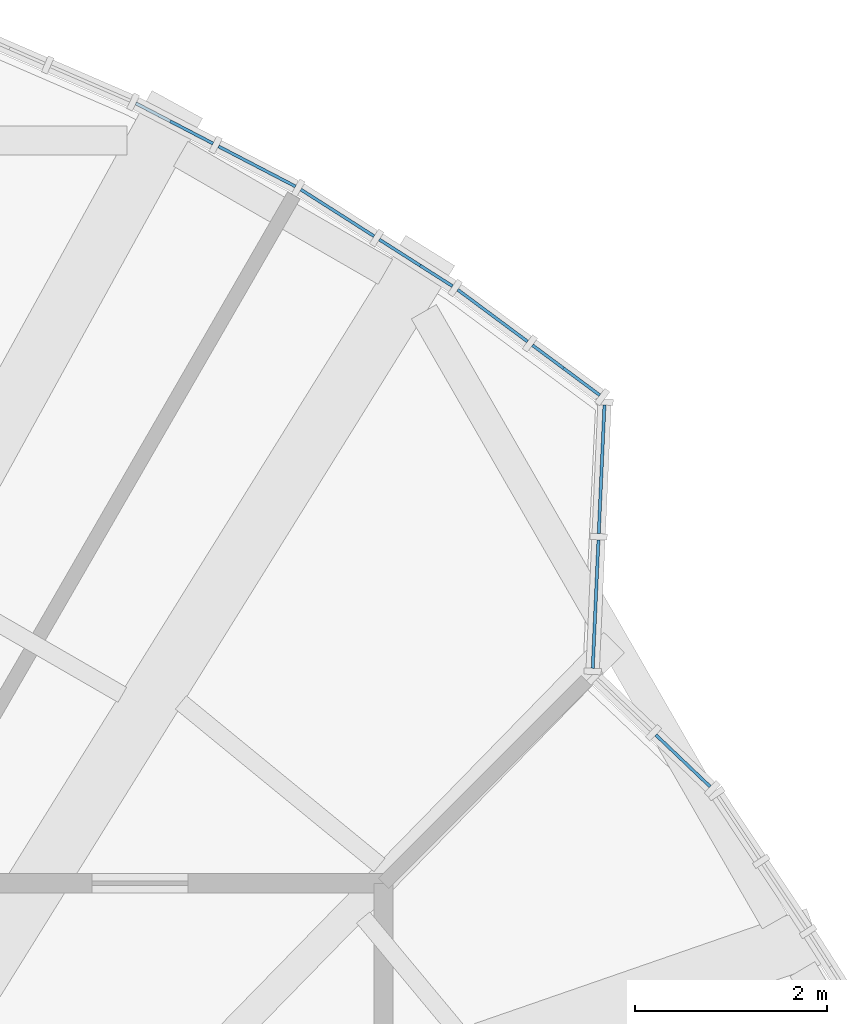
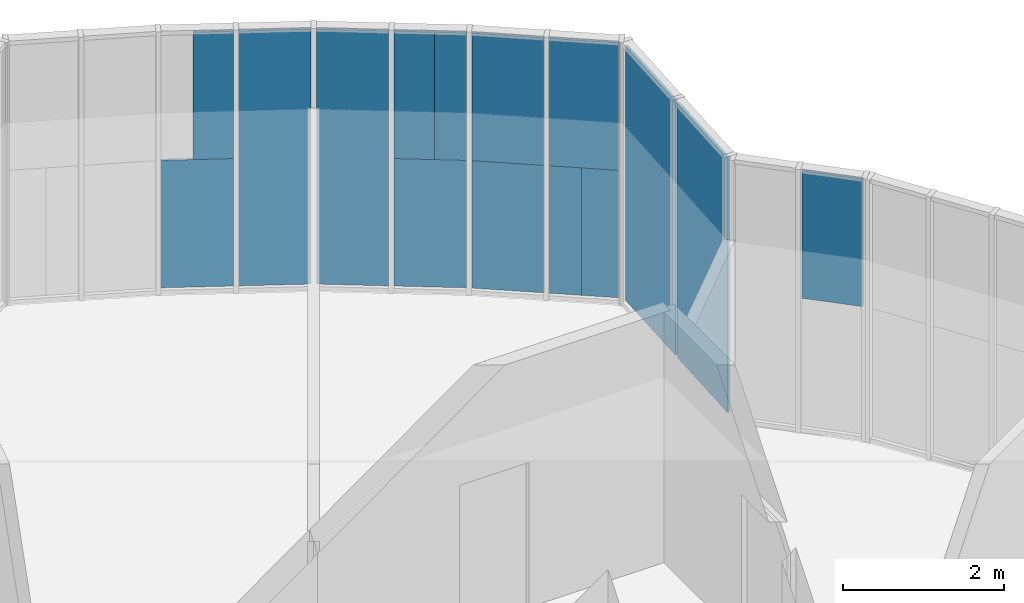
# One storey, part 20 of 24: 15 plates, 5 elements without a shape of their own.
"""IFC4 building model written with IfcOpenShell, lengths in metres."""

from ifc_helpers import new_model, si_unit, direction, frame, origin, origin_2d, place, context, subcontext, project, spatial, rectangle, extrude, material, layer, layer_set, type_object, element, aggregate, save


model = new_model("IFC4")

# Units and contexts
model_context = context("Model", 3, precision=1e-05, world=origin(), true_north=direction((0.0, 1.0)))
body_context = subcontext(model_context, "Body", "Model", "MODEL_VIEW")
ifc_project = project(units=[si_unit("LENGTHUNIT", "METRE"), si_unit("AREAUNIT", "SQUARE_METRE"), si_unit("VOLUMEUNIT", "CUBIC_METRE"), si_unit("PLANEANGLEUNIT", "RADIAN"), si_unit("MASSUNIT", "GRAM", prefix="KILO")], contexts=[model_context])

# Site, building, storey
site_placement = place(None, origin())
site = spatial("IfcSite", under=ifc_project, at=site_placement, CompositionType="ELEMENT")
building_placement = place(site_placement, origin())
building = spatial("IfcBuilding", under=site, at=building_placement, Name="Golbaran Civic Tower", CompositionType="ELEMENT")
storey_placement = place(building_placement, frame((0.0, 0.0, 25.0)))
storey = spatial("IfcBuildingStorey", under=building, at=storey_placement, Name="L05", CompositionType="ELEMENT", Elevation=25.0)

# Curtain wall, plates
ifc_material_1 = material(Name="Aluminium and glass", Category="aluminium")
curtain_wall_type = type_object("IfcCurtainWallType", Name="INNER SKIN CURTAIN WALL", PredefinedType="NOTDEFINED", material=ifc_material_1)
curtain_wall_1_placement = place(storey_placement, origin())
curtain_wall_1 = element("IfcCurtainWall", 1, at=curtain_wall_1_placement, inside=storey, type_object=curtain_wall_type, Name="Inner skin L05 facet 10 CW1", ObjectType="INNER SKIN", PredefinedType="USERDEFINED")
ifc_material_2 = material(Name="Clear insulating glass", Category="glass")
ifc_layer_1 = layer(ifc_material_2, 0.031982421875, Name="Clear insulating glass")
ifc_layer_set_1 = layer_set([ifc_layer_1], Name="Clear insulating glass")
plate_type_1 = type_object("IfcPlateType", Name="INNER SKIN CURTAIN WALL GLAZED PANEL", PredefinedType="CURTAIN_PANEL", material=ifc_layer_set_1)
plate_1_placement = place(storey_placement, frame((14.2080078125, 14.9091796875, 0.06494140625), z_axis=(0.0, 0.0, 1.0), x_axis=(0.044524171678, 0.999008307341, 0.0)))
plate_1 = element("IfcPlate", 2, at=plate_1_placement, type_object=plate_type_1, Name="CW1 panel 1.1", PredefinedType="CURTAIN_PANEL", context=body_context, shape_type="SweptSolid", body=[
    extrude(rectangle(XDim=1.33935546875, YDim=0.031982421875, at=origin_2d()), origin(), (0.0, 0.0, 1.0), 3.8701171875),
])
plate_2_placement = place(storey_placement, frame((14.2705078125, 16.31201171875, 0.06494140625), z_axis=(0.0, 0.0, 1.0), x_axis=(0.044524171678, 0.999008307341, 0.0)))
plate_2 = element("IfcPlate", 3, at=plate_2_placement, type_object=plate_type_1, Name="CW1 panel 2.1", PredefinedType="CURTAIN_PANEL", context=body_context, shape_type="SweptSolid", body=[
    extrude(rectangle(XDim=1.33935546875, YDim=0.031982421875, at=origin_2d()), origin(), (0.0, 0.0, 1.0), 3.8701171875),
])
aggregate(curtain_wall_1, [plate_1, plate_2])

# Curtain wall, plate
curtain_wall_2_placement = place(storey_placement, origin())
curtain_wall_2 = element("IfcCurtainWall", 4, at=curtain_wall_2_placement, inside=storey, type_object=curtain_wall_type, Name="Inner skin L05 facet 11 CW1", ObjectType="INNER SKIN", PredefinedType="USERDEFINED")
plate_3_placement = place(storey_placement, frame((14.06201171875, 17.22509765625, 0.06494140625), z_axis=(0.0, 0.0, 1.0), x_axis=(-0.802969962931, 0.596019495177, 0.0)))
plate_3 = element("IfcPlate", 5, at=plate_3_placement, type_object=plate_type_1, Name="CW1 panel 1.1 part 1", PredefinedType="CURTAIN_PANEL", context=body_context, shape_type="SweptSolid", body=[
    extrude(rectangle(XDim=0.470947265625, YDim=0.031982421875, at=origin_2d()), origin(), (0.0, 0.0, 1.0), 1.93505859375),
])

# Curtain wall, plates
curtain_wall_3_placement = place(storey_placement, origin())
curtain_wall_3 = element("IfcCurtainWall", 6, at=curtain_wall_3_placement, inside=storey, type_object=curtain_wall_type, Name="Inner skin L05 facet 12 CW1", ObjectType="INNER SKIN", PredefinedType="USERDEFINED")
plate_4_placement = place(storey_placement, frame((12.16796875, 18.5703125, 2.0), z_axis=(0.0, 0.0, 1.0), x_axis=(-0.843391445869, 0.537299608259, 0.0)))
plate_4 = element("IfcPlate", 7, at=plate_4_placement, type_object=plate_type_1, Name="CW1 panel 1.1 part 3", PredefinedType="CURTAIN_PANEL", context=body_context, shape_type="SweptSolid", body=[
    extrude(rectangle(XDim=0.504150390625, YDim=0.031982421875, at=origin_2d()), origin(), (0.0, 0.0, 1.0), 1.93505859375),
])
plate_5_placement = place(storey_placement, frame((11.519287109375, 18.983642578125, 0.06494140625), z_axis=(0.0, 0.0, 1.0), x_axis=(-0.843391445869, 0.537299608259, 0.0)))
plate_5 = element("IfcPlate", 8, at=plate_5_placement, type_object=plate_type_1, Name="CW1 panel 2.1", PredefinedType="CURTAIN_PANEL", context=body_context, shape_type="SweptSolid", body=[
    extrude(rectangle(XDim=0.904296875, YDim=0.031982421875, at=origin_2d()), origin(), (0.0, 0.0, 1.0), 3.8701171875),
])

curtain_wall_4_placement = place(storey_placement, origin())
curtain_wall_4 = element("IfcCurtainWall", 9, at=curtain_wall_4_placement, inside=storey, type_object=curtain_wall_type, Name="Inner skin L05 facet 13 CW1", ObjectType="INNER SKIN", PredefinedType="USERDEFINED")
plate_6_placement = place(storey_placement, frame((10.6806640625, 19.4677734375, 0.06494140625), z_axis=(0.0, 0.0, 1.0), x_axis=(-0.887010833033, 0.461748613514, 0.0)))
plate_6 = element("IfcPlate", 10, at=plate_6_placement, type_object=plate_type_1, Name="CW1 panel 1.1", PredefinedType="CURTAIN_PANEL", context=body_context, shape_type="SweptSolid", body=[
    extrude(rectangle(XDim=0.904296875, YDim=0.031982421875, at=origin_2d()), origin(), (0.0, 0.0, 1.0), 3.8701171875),
])
plate_7_placement = place(storey_placement, frame((9.998779296875, 19.82275390625, 2.0), z_axis=(0.0, 0.0, 1.0), x_axis=(-0.887010833033, 0.461748613514, 0.0)))
plate_7 = element("IfcPlate", 11, at=plate_7_placement, type_object=plate_type_1, Name="CW1 panel 2.1 part 2", PredefinedType="CURTAIN_PANEL", context=body_context, shape_type="SweptSolid", body=[
    extrude(rectangle(XDim=0.5029296875, YDim=0.031982421875, at=origin_2d()), origin(), (0.0, 0.0, 1.0), 1.93505859375),
])

# Curtain wall, plate
curtain_wall_5_placement = place(storey_placement, origin())
curtain_wall_5 = element("IfcCurtainWall", 12, at=curtain_wall_5_placement, inside=storey, type_object=curtain_wall_type, Name="Inner skin L05 facet 9 CW1", ObjectType="INNER SKIN", PredefinedType="USERDEFINED")
ifc_material_3 = material(Name="Aluminium faced opaque infill panel", Category="aluminium")
ifc_layer_2 = layer(ifc_material_3, 0.031982421875, Name="Aluminium faced opaque infill panel")
ifc_layer_set_2 = layer_set([ifc_layer_2], Name="Aluminium faced opaque infill panel")
plate_type_2 = type_object("IfcPlateType", Name="INNER SKIN CURTAIN WALL OPAQUE INFILL PANEL", PredefinedType="CURTAIN_PANEL", material=ifc_layer_set_2)
plate_8_placement = place(storey_placement, frame((15.1181640625, 13.27685546875, 2.0), z_axis=(0.0, 0.0, 1.0), x_axis=(-0.723900401463, 0.689904492493, 0.0)))
plate_8 = element("IfcPlate", 13, at=plate_8_placement, type_object=plate_type_2, Name="CW1 infill panel 1.1 part 2", PredefinedType="CURTAIN_PANEL", context=body_context, shape_type="SweptSolid", body=[
    extrude(rectangle(XDim=0.781494140625, YDim=0.031982421875, at=origin_2d()), origin(), (0.0, 0.0, 1.0), 1.93505859375),
])
aggregate(curtain_wall_5, [plate_8])

# Plate
plate_9_placement = place(storey_placement, frame((13.711669921875, 17.485107421875, 0.06494140625), z_axis=(0.0, 0.0, 1.0), x_axis=(-0.802969962931, 0.596019495177, 0.0)))
plate_9 = element("IfcPlate", 14, at=plate_9_placement, type_object=plate_type_2, Name="CW1 infill panel 1.1 part 2", PredefinedType="CURTAIN_PANEL", context=body_context, shape_type="SweptSolid", body=[
    extrude(rectangle(XDim=0.401611328125, YDim=0.031982421875, at=origin_2d()), origin(), (0.0, 0.0, 1.0), 1.93505859375),
])

plate_10_placement = place(storey_placement, frame((13.90087890625, 17.3447265625, 2.0), z_axis=(0.0, 0.0, 1.0), x_axis=(-0.802969962931, 0.596019495177, 0.0)))
plate_10 = element("IfcPlate", 15, at=plate_10_placement, type_object=plate_type_2, Name="CW1 infill panel 1.1 part 3", PredefinedType="CURTAIN_PANEL", context=body_context, shape_type="SweptSolid", body=[
    extrude(rectangle(XDim=0.87255859375, YDim=0.031982421875, at=origin_2d()), origin(), (0.0, 0.0, 1.0), 1.93505859375),
])

plate_11_placement = place(storey_placement, frame((13.135009765625, 17.913330078125, 0.06494140625), z_axis=(0.0, 0.0, 1.0), x_axis=(-0.802969962931, 0.596019495177, 0.0)))
plate_11 = element("IfcPlate", 16, at=plate_11_placement, type_object=plate_type_2, Name="CW1 infill panel 2.1 part 1", PredefinedType="CURTAIN_PANEL", context=body_context, shape_type="SweptSolid", body=[
    extrude(rectangle(XDim=0.905029296875, YDim=0.031982421875, at=origin_2d()), origin(), (0.0, 0.0, 1.0), 1.93505859375),
])

plate_12_placement = place(storey_placement, frame((13.135009765625, 17.913330078125, 2.0), z_axis=(0.0, 0.0, 1.0), x_axis=(-0.802969962931, 0.596019495177, 0.0)))
plate_12 = element("IfcPlate", 17, at=plate_12_placement, type_object=plate_type_2, Name="CW1 infill panel 2.1 part 2", PredefinedType="CURTAIN_PANEL", context=body_context, shape_type="SweptSolid", body=[
    extrude(rectangle(XDim=0.905029296875, YDim=0.031982421875, at=origin_2d()), origin(), (0.0, 0.0, 1.0), 1.93505859375),
])

aggregate(curtain_wall_2, [plate_3, plate_9, plate_10, plate_11, plate_12])

plate_13_placement = place(storey_placement, frame((12.336669921875, 18.462890625, 0.06494140625), z_axis=(0.0, 0.0, 1.0), x_axis=(-0.843391445869, 0.537299608259, 0.0)))
plate_13 = element("IfcPlate", 18, at=plate_13_placement, type_object=plate_type_2, Name="CW1 infill panel 1.1 part 1", PredefinedType="CURTAIN_PANEL", context=body_context, shape_type="SweptSolid", body=[
    extrude(rectangle(XDim=0.904296875, YDim=0.031982421875, at=origin_2d()), origin(), (0.0, 0.0, 1.0), 1.93505859375),
])

plate_14_placement = place(storey_placement, frame((12.54931640625, 18.327392578125, 2.0), z_axis=(0.0, 0.0, 1.0), x_axis=(-0.843391445869, 0.537299608259, 0.0)))
plate_14 = element("IfcPlate", 19, at=plate_14_placement, type_object=plate_type_2, Name="CW1 infill panel 1.1 part 2", PredefinedType="CURTAIN_PANEL", context=body_context, shape_type="SweptSolid", body=[
    extrude(rectangle(XDim=0.39990234375, YDim=0.031982421875, at=origin_2d()), origin(), (0.0, 0.0, 1.0), 1.93505859375),
])

aggregate(curtain_wall_3, [plate_13, plate_14, plate_4, plate_5])

plate_15_placement = place(storey_placement, frame((9.82080078125, 19.915283203125, 0.06494140625), z_axis=(0.0, 0.0, 1.0), x_axis=(-0.887010833033, 0.461748613514, 0.0)))
plate_15 = element("IfcPlate", 20, at=plate_15_placement, type_object=plate_type_2, Name="CW1 infill panel 2.1 part 1", PredefinedType="CURTAIN_PANEL", context=body_context, shape_type="SweptSolid", body=[
    extrude(rectangle(XDim=0.904296875, YDim=0.031982421875, at=origin_2d()), origin(), (0.0, 0.0, 1.0), 1.93505859375),
])

aggregate(curtain_wall_4, [plate_6, plate_15, plate_7])

save(model, "model.ifc")
